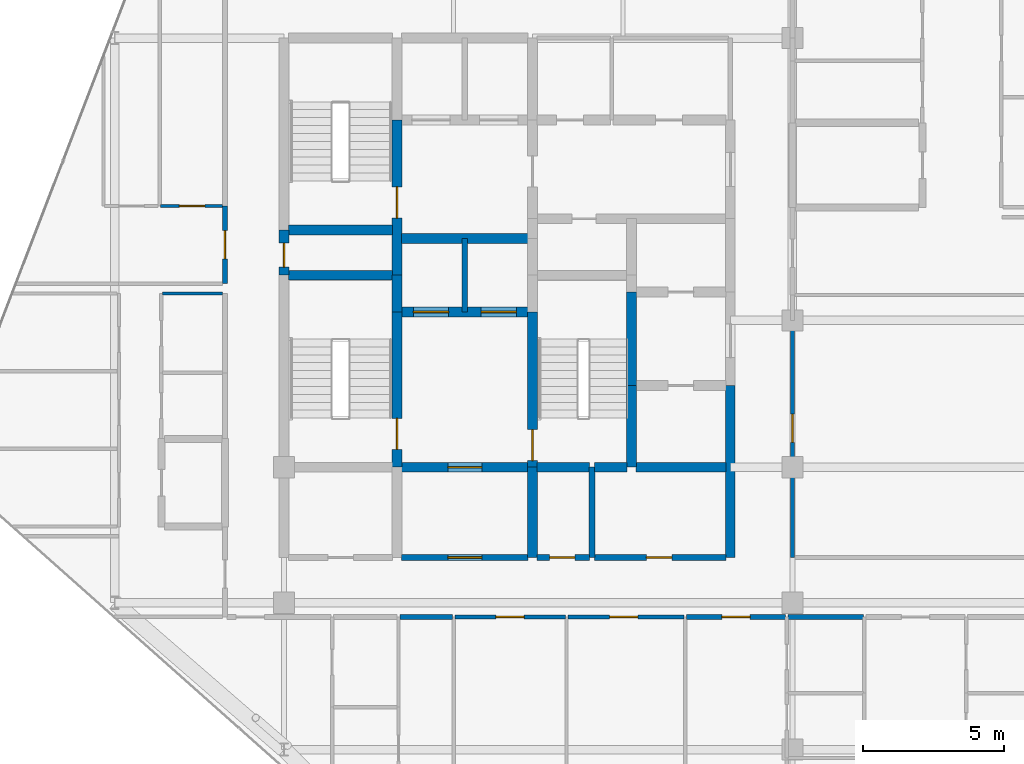
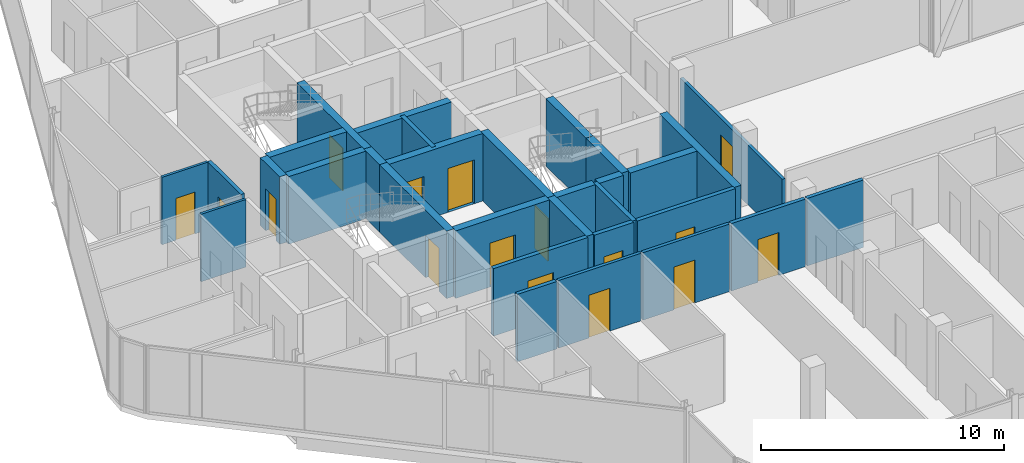
# One storey, part 24 of 29: 31 walls, 16 doors, 16 openings.
"""IFC4 building model written with IfcOpenShell, lengths in metres."""

import ifcopenshell
import ifcopenshell.guid

model = None  # the IFC model being written
_history = None  # IfcOwnerHistory: only IFC2X3 demands one
_inside = {}  # id of a spatial element -> (the spatial element, [elements in it])
_under = {}  # id of a project, library or spatial element -> (it, [spatial elements below it])
_declared = {}  # id of a project -> (the project, [libraries it declares])
_typed = {}  # id of a type object -> (the type object, [elements of that type])
_made_of = {}  # id of a material, layer set ... -> (it, [elements and type objects made of it])


def new_model(schema):
    """Start an empty IFC model of exactly this schema.

    Asked for "IFC4X3", IfcOpenShell would pick the latest addendum, in which some entities
    have other attributes; the version numbers below select the first issue.
    IFC2X3 requires an IfcOwnerHistory on every rooted entity: one is made here for all.
    """
    global model, _history
    if schema == "IFC4X3":
        model = ifcopenshell.file(schema_version=(4, 3, 0, 0))
    else:
        model = ifcopenshell.file(schema=schema)
    _inside.clear()
    _under.clear()
    _declared.clear()
    _typed.clear()
    _made_of.clear()
    _history = None
    if model.schema == "IFC2X3":
        org = make("IfcOrganization", Name="unknown")
        user = make(
            "IfcPersonAndOrganization",
            ThePerson=make("IfcPerson", FamilyName="unknown"),
            TheOrganization=org,
        )
        app = make(
            "IfcApplication",
            ApplicationDeveloper=org,
            Version="unknown",
            ApplicationFullName="unknown",
            ApplicationIdentifier="unknown",
        )
        _history = make(
            "IfcOwnerHistory",
            OwningUser=user,
            OwningApplication=app,
            ChangeAction="ADDED",
            CreationDate=0,
        )
    return model


def make(cls, **values):
    """One entity of the class cls with the attributes given. An attribute that is None is left unset."""
    return model.create_entity(
        cls, **{name: value for name, value in values.items() if value is not None}
    )


def rooted(cls, **values):
    """An entity with a GlobalId (a new one), such as an element, a storey or a relation."""
    return make(cls, GlobalId=ifcopenshell.guid.new(), OwnerHistory=_history, **values)


def si_unit(unit_type, name, prefix=None):
    """IfcSIUnit, for example si_unit("LENGTHUNIT", "METRE", prefix="MILLI")."""
    return make("IfcSIUnit", UnitType=unit_type, Prefix=prefix, Name=name)


def assignment(units):
    """IfcUnitAssignment: the units of a project."""
    return None if units is None else make("IfcUnitAssignment", Units=units)


def point(xyz):
    """IfcCartesianPoint."""
    return None if xyz is None else make("IfcCartesianPoint", Coordinates=xyz)


def direction(xyz):
    """IfcDirection."""
    return None if xyz is None else make("IfcDirection", DirectionRatios=xyz)


def frame(location, z_axis=None, x_axis=None):
    """IfcAxis2Placement3D, a coordinate frame: its origin and axes. An axis left out is left unset."""
    return make(
        "IfcAxis2Placement3D",
        Location=point(location),
        Axis=direction(z_axis),
        RefDirection=direction(x_axis),
    )


def frame_2d(location, x_axis=None):
    """IfcAxis2Placement2D, a coordinate frame in the plane: its origin and x axis."""
    return make(
        "IfcAxis2Placement2D", Location=point(location), RefDirection=direction(x_axis)
    )


def origin():
    """The frame at (0, 0, 0) with its axes left unset."""
    return frame((0.0, 0.0, 0.0))


def place(relative_to, where):
    """IfcLocalPlacement: puts the frame where relative to a parent placement (None: the world)."""
    return make(
        "IfcLocalPlacement", PlacementRelTo=relative_to, RelativePlacement=where
    )


def context(
    kind, dimensions, precision=None, world=None, true_north=None, identifier=None
):
    """IfcGeometricRepresentationContext, for example the 3D "Model" context."""
    return make(
        "IfcGeometricRepresentationContext",
        ContextIdentifier=identifier,
        ContextType=kind,
        CoordinateSpaceDimension=dimensions,
        Precision=precision,
        WorldCoordinateSystem=world,
        TrueNorth=true_north,
    )


def subcontext(parent, identifier, kind, view, scale=None):
    """IfcGeometricRepresentationSubContext, for example "Body" below "Model"."""
    return make(
        "IfcGeometricRepresentationSubContext",
        ContextIdentifier=identifier,
        ContextType=kind,
        ParentContext=parent,
        TargetScale=scale,
        TargetView=view,
    )


def project(units=None, contexts=None):
    """IfcProject with its units and contexts."""
    return rooted(
        "IfcProject",
        Name="project",
        RepresentationContexts=contexts,
        UnitsInContext=assignment(units),
    )


def spatial(cls, under=None, at=None, **own):
    """A site, building, storey or space (cls), placed at a placement, below another one or the project."""
    s = rooted(cls, ObjectPlacement=at, **own)
    if under is not None:
        _under.setdefault(under.id(), (under, []))[1].append(s)
    return s


def profile(cls, at=None, kind="AREA", **sizes):
    """A parametric profile (cls). Its sizes go by their IFC names, for example OverallWidth=200.0."""
    return make(cls, ProfileType=kind, Position=at, **sizes)


def rectangle(**sizes):
    """IfcRectangleProfileDef."""
    return profile("IfcRectangleProfileDef", **sizes)


def extrude(swept, where, along, depth):
    """IfcExtrudedAreaSolid: the profile swept, set in the frame where, extruded along a direction by depth."""
    return make(
        "IfcExtrudedAreaSolid",
        SweptArea=swept,
        Position=where,
        ExtrudedDirection=direction(along),
        Depth=depth,
    )


def shape(context_of_items, identifier, shape_type, items):
    """IfcShapeRepresentation: the items that make up one representation, for example the "Body"."""
    return make(
        "IfcShapeRepresentation",
        ContextOfItems=context_of_items,
        RepresentationIdentifier=identifier,
        RepresentationType=shape_type,
        Items=items,
    )


def material(Name=None, Category=None):
    """IfcMaterial."""
    return make("IfcMaterial", Name=Name, Category=Category)


def layer(
    of_material, thickness, ventilated=None, Name=None, Category=None, Priority=None
):
    """IfcMaterialLayer: one layer of a wall or slab, of a material (None: an air gap)."""
    return make(
        "IfcMaterialLayer",
        Material=of_material,
        LayerThickness=thickness,
        IsVentilated=ventilated,
        Name=Name,
        Category=Category,
        Priority=Priority,
    )


def layer_set(layers, Name=None):
    """IfcMaterialLayerSet."""
    return make("IfcMaterialLayerSet", MaterialLayers=layers, LayerSetName=Name)


def made_of(thing, what):
    """Note that an element or type object is made of a material, layer set ...; save() writes the relation."""
    if what is not None:
        _made_of.setdefault(what.id(), (what, []))[1].append(thing)
    return thing


def type_object(cls, material=None, **own):
    """A type object (cls), such as IfcWallType, which elements share."""
    return made_of(rooted(cls, **own), material)


def element(
    cls,
    number,
    at=None,
    inside=None,
    cuts=None,
    type_object=None,
    material=None,
    context=None,
    identifier="Body",
    shape_type=None,
    held_by="IfcProductDefinitionShape",
    body=None,
    shapes=None,
    **own,
):
    """One element of the class cls, such as IfcWall. Its Tag is "e" and its number.

    at: its placement. inside: the storey or other place that contains it. cuts: it is an
    opening in that element (IfcRelVoidsElement). A single representation is given by context,
    identifier, shape_type and body (its items); several are given by shapes. held_by: the class
    of the entity that holds the representations. save() writes the other relations.
    """
    e = rooted(cls, Tag="e%d" % number, ObjectPlacement=at, **own)
    if body is not None:
        shapes = [shape(context, identifier, shape_type, body)]
    if shapes is not None:
        e.Representation = make(held_by, Representations=shapes)
    if inside is not None:
        _inside.setdefault(inside.id(), (inside, []))[1].append(e)
    if cuts is not None:
        rooted(
            "IfcRelVoidsElement", RelatingBuildingElement=cuts, RelatedOpeningElement=e
        )
    if type_object is not None:
        _typed.setdefault(type_object.id(), (type_object, []))[1].append(e)
    return made_of(e, material)


def fill(opening, filler):
    """IfcRelFillsElement: the door or window that sits in an opening."""
    return rooted(
        "IfcRelFillsElement",
        RelatingOpeningElement=opening,
        RelatedBuildingElement=filler,
    )


def aggregate(whole, parts):
    """IfcRelAggregates: a whole, such as a stair, and the parts it consists of."""
    return rooted("IfcRelAggregates", RelatingObject=whole, RelatedObjects=parts)


def save(model, path):
    """Write the relations noted so far, then the file.

    IfcRelAggregates (storeys below a building ...), IfcRelContainedInSpatialStructure (elements
    in a storey), IfcRelDefinesByType, IfcRelAssociatesMaterial and IfcRelDeclares: one each for
    every whole, place, type object, material and project.
    """
    for whole, parts in _under.values():
        aggregate(whole, parts)
    for where, things in _inside.values():
        rooted(
            "IfcRelContainedInSpatialStructure",
            RelatedElements=things,
            RelatingStructure=where,
        )
    for kind, things in _typed.values():
        rooted("IfcRelDefinesByType", RelatedObjects=things, RelatingType=kind)
    for what, things in _made_of.values():
        rooted("IfcRelAssociatesMaterial", RelatedObjects=things, RelatingMaterial=what)
    for by, libraries in _declared.values():
        rooted("IfcRelDeclares", RelatingContext=by, RelatedDefinitions=libraries)
    model.write(path)


model = new_model("IFC4")

# Units and contexts
model_context = context("Model", 3, precision=1e-05, world=origin(), true_north=direction((0.0, 1.0)))
body_context = subcontext(model_context, "Body", "Model", "MODEL_VIEW")
ifc_project = project(units=[si_unit("LENGTHUNIT", "METRE"), si_unit("AREAUNIT", "SQUARE_METRE"), si_unit("VOLUMEUNIT", "CUBIC_METRE"), si_unit("PLANEANGLEUNIT", "RADIAN"), si_unit("MASSUNIT", "GRAM", prefix="KILO")], contexts=[model_context])

# Site, building, storey
site_placement = place(None, origin())
site = spatial("IfcSite", under=ifc_project, at=site_placement, CompositionType="ELEMENT")
building_placement = place(site_placement, origin())
building = spatial("IfcBuilding", under=site, at=building_placement, Name="Keshet Zoharim Tower", CompositionType="ELEMENT")
storey_placement = place(building_placement, frame((0.0, 0.0, 222.800048828125)))
storey = spatial("IfcBuildingStorey", under=building, at=storey_placement, Name="L55", CompositionType="ELEMENT", Elevation=222.800048828125)

# Wall, opening, door
ifc_material_1 = material(Name="Gypsum Plasterboard", Category="gypsum")
ifc_layer_1 = layer(ifc_material_1, 0.14990234375)
ifc_layer_set_1 = layer_set([ifc_layer_1], Name="Gypsum Plasterboard")
wall_type_1 = type_object("IfcWallType", Name="WL-CLIN-150", PredefinedType="STANDARD", material=ifc_layer_set_1)
wall_1_placement = place(storey_placement, frame((33.0, 19.510009765625, 0.0), z_axis=(0.0, 0.0, 1.0), x_axis=(0.0, 1.0, 0.0)))
wall_1 = element("IfcWall", 1, at=wall_1_placement, inside=storey, type_object=wall_type_1, Name="L55 Interior Wall 069", PredefinedType="STANDARD", context=body_context, shape_type="SweptSolid", body=[
    extrude(rectangle(XDim=8.389892578125, YDim=0.14990234375, at=frame_2d((4.19482421875, 0.0))), origin(), (0.0, 0.0, 1.0), 2.989990234375),
])
opening_1_placement = place(wall_1_placement, frame((4.069091796875, 0.0, 0.0)))
opening_1 = element("IfcOpeningElement", 2, at=opening_1_placement, cuts=wall_1, Name="Opening D-F310", PredefinedType="OPENING", context=body_context, shape_type="SweptSolid", body=[
    extrude(rectangle(XDim=1.0, YDim=2.14990234375, at=frame_2d((0.5, 1.074951171875))), frame((0.0, 0.0849609375, 0.0), z_axis=(0.0, -1.0, 0.0), x_axis=(1.0, 0.0, 0.0)), (0.0, 0.0, 1.0), 0.169921875),
])
ifc_material_2 = material(Name="Hardwood Timber", Category="wood")
door_type_1 = type_object("IfcDoorType", Name="DR-FD30-100", OperationType="NOTDEFINED", PredefinedType="DOOR", material=ifc_material_2)
door_1_placement = place(opening_1_placement, origin())
door_1 = element("IfcDoor", 3, at=door_1_placement, inside=storey, type_object=door_type_1, Name="L55 South East Residents Services Suite Door 2", OperationType="SINGLE_SWING_LEFT", OverallHeight=2.14990234375, OverallWidth=1.0, PredefinedType="DOOR", context=body_context, shape_type="SweptSolid", body=[
    extrude(rectangle(XDim=1.0, YDim=2.14990234375, at=frame_2d((0.5, 1.074951171875))), frame((0.0, 0.02490234375, 0.0), z_axis=(0.0, -1.0, 0.0), x_axis=(1.0, 0.0, 0.0)), (0.0, 0.0, 1.0), 0.050048828125),
])
fill(opening_1, door_1)

wall_2_placement = place(storey_placement, frame((21.044921875, 17.39990234375, 0.0), z_axis=(0.0, 0.0, 1.0), x_axis=(1.0, 0.0, 0.0)))
wall_2 = element("IfcWall", 4, at=wall_2_placement, inside=storey, type_object=wall_type_1, Name="L55 Interior Wall 124", PredefinedType="STANDARD", context=body_context, shape_type="SweptSolid", body=[
    extrude(rectangle(XDim=3.91015625, YDim=0.14990234375, at=frame_2d((1.955078125, 0.0))), origin(), (0.0, 0.0, 1.0), 3.389892578125),
])
opening_2_placement = place(wall_2_placement, frame((1.455078125, 0.0, 0.0)))
opening_2 = element("IfcOpeningElement", 5, at=opening_2_placement, cuts=wall_2, Name="Opening D-F310", PredefinedType="OPENING", context=body_context, shape_type="SweptSolid", body=[
    extrude(rectangle(XDim=1.0, YDim=2.14990234375, at=frame_2d((0.5, 1.074951171875))), frame((0.0, 0.0849609375, 0.0), z_axis=(0.0, -1.0, 0.0), x_axis=(1.0, 0.0, 0.0)), (0.0, 0.0, 1.0), 0.169921875),
])
door_2_placement = place(opening_2_placement, origin())
door_2 = element("IfcDoor", 6, at=door_2_placement, inside=storey, type_object=door_type_1, Name="L55 Shared Floor Laundry Room Door", OperationType="SINGLE_SWING_LEFT", OverallHeight=2.14990234375, OverallWidth=1.0, PredefinedType="DOOR", context=body_context, shape_type="SweptSolid", body=[
    extrude(rectangle(XDim=1.0, YDim=2.14990234375, at=frame_2d((0.5, 1.074951171875))), frame((0.0, 0.02490234375, 0.0), z_axis=(0.0, -1.0, 0.0), x_axis=(1.0, 0.0, 0.0)), (0.0, 0.0, 1.0), 0.050048828125),
])
fill(opening_2, door_2)

wall_3_placement = place(storey_placement, frame((25.044921875, 17.39990234375, 0.0), z_axis=(0.0, 0.0, 1.0), x_axis=(1.0, 0.0, 0.0)))
wall_3 = element("IfcWall", 7, at=wall_3_placement, inside=storey, type_object=wall_type_1, Name="L55 Interior Wall 125", PredefinedType="STANDARD", context=body_context, shape_type="SweptSolid", body=[
    extrude(rectangle(XDim=4.110107421875, YDim=0.14990234375, at=frame_2d((2.05517578125, 0.0))), origin(), (0.0, 0.0, 1.0), 3.389892578125),
])
opening_3_placement = place(wall_3_placement, frame((1.48291015625, 0.0, 0.0)))
opening_3 = element("IfcOpeningElement", 8, at=opening_3_placement, cuts=wall_3, Name="Opening D-F310", PredefinedType="OPENING", context=body_context, shape_type="SweptSolid", body=[
    extrude(rectangle(XDim=1.0, YDim=2.14990234375, at=frame_2d((0.5, 1.074951171875))), frame((0.0, 0.0849609375, 0.0), z_axis=(0.0, -1.0, 0.0), x_axis=(1.0, 0.0, 0.0)), (0.0, 0.0, 1.0), 0.169921875),
])
door_3_placement = place(opening_3_placement, origin())
door_3 = element("IfcDoor", 9, at=door_3_placement, inside=storey, type_object=door_type_1, Name="L55 Residents Study Lounge Door", OperationType="SINGLE_SWING_RIGHT", OverallHeight=2.14990234375, OverallWidth=1.0, PredefinedType="DOOR", context=body_context, shape_type="SweptSolid", body=[
    extrude(rectangle(XDim=1.0, YDim=2.14990234375, at=frame_2d((0.5, 1.074951171875))), frame((0.0, 0.02490234375, 0.0), z_axis=(0.0, -1.0, 0.0), x_axis=(1.0, 0.0, 0.0)), (0.0, 0.0, 1.0), 0.050048828125),
])
fill(opening_3, door_3)

ifc_material_3 = material(Name="Concrete C60/75", Category="concrete")
ifc_layer_2 = layer(ifc_material_3, 0.35009765625)
ifc_layer_set_2 = layer_set([ifc_layer_2], Name="Concrete C60/75")
wall_type_2 = type_object("IfcWallType", Name="WL-CORE-350", PredefinedType="SHEAR", material=ifc_layer_set_2)
wall_4_placement = place(storey_placement, frame((15.0, 29.5, 0.0), z_axis=(0.0, 0.0, 1.0), x_axis=(0.0, 1.0, 0.0)))
wall_4 = element("IfcWall", 10, at=wall_4_placement, inside=storey, type_object=wall_type_2, Name="L55 Core Shear Wall 017", PredefinedType="SHEAR", context=body_context, shape_type="SweptSolid", body=[
    extrude(rectangle(XDim=1.60009765625, YDim=0.35009765625, at=frame_2d((0.800048828125, 0.0))), origin(), (0.0, 0.0, 1.0), 3.389892578125),
])
opening_4_placement = place(wall_4_placement, frame((0.287109375, 0.0, 0.0)))
opening_4 = element("IfcOpeningElement", 11, at=opening_4_placement, cuts=wall_4, Name="Opening D-RS85", PredefinedType="OPENING", context=body_context, shape_type="SweptSolid", body=[
    extrude(rectangle(XDim=0.85009765625, YDim=2.10009765625, at=frame_2d((0.425048828125, 1.050048828125))), frame((0.0, 0.18505859375, 0.0), z_axis=(0.0, -1.0, 0.0), x_axis=(1.0, 0.0, 0.0)), (0.0, 0.0, 1.0), 0.3701171875),
])
door_type_2 = type_object("IfcDoorType", Name="DR-RIS-085", OperationType="NOTDEFINED", PredefinedType="DOOR", material=ifc_material_2)
door_4_placement = place(opening_4_placement, origin())
door_4 = element("IfcDoor", 12, at=door_4_placement, inside=storey, type_object=door_type_2, Name="L55 Electrical Riser Access Cupboard Door", OperationType="SINGLE_SWING_RIGHT", OverallHeight=2.10009765625, OverallWidth=0.85009765625, PredefinedType="DOOR", context=body_context, shape_type="SweptSolid", body=[
    extrude(rectangle(XDim=0.85009765625, YDim=2.10009765625, at=frame_2d((0.425048828125, 1.050048828125))), frame((0.0, 0.02490234375, 0.0), z_axis=(0.0, -1.0, 0.0), x_axis=(1.0, 0.0, 0.0)), (0.0, 0.0, 1.0), 0.050048828125),
])
fill(opening_4, door_4)

wall_5_placement = place(storey_placement, frame((19.0, 22.699951171875, 0.0), z_axis=(0.0, 0.0, 1.0), x_axis=(0.0, 1.0, 0.0)))
wall_5 = element("IfcWall", 13, at=wall_5_placement, inside=storey, type_object=wall_type_2, Name="L55 Core Shear Wall 025", PredefinedType="SHEAR", context=body_context, shape_type="SweptSolid", body=[
    extrude(rectangle(XDim=5.5, YDim=0.35009765625, at=frame_2d((2.75, 0.0))), origin(), (0.0, 0.0, 1.0), 3.389892578125),
])
opening_5_placement = place(wall_5_placement, frame((0.631103515625, 0.0, 0.0)))
opening_5 = element("IfcOpeningElement", 14, at=opening_5_placement, cuts=wall_5, Name="Opening D-F611", PredefinedType="OPENING", context=body_context, shape_type="SweptSolid", body=[
    extrude(rectangle(XDim=1.10009765625, YDim=2.14990234375, at=frame_2d((0.550048828125, 1.074951171875))), frame((0.0, 0.18505859375, 0.0), z_axis=(0.0, -1.0, 0.0), x_axis=(1.0, 0.0, 0.0)), (0.0, 0.0, 1.0), 0.3701171875),
])
door_type_3 = type_object("IfcDoorType", Name="DR-FD60-110", OperationType="NOTDEFINED", PredefinedType="DOOR", material=ifc_material_2)
door_5_placement = place(opening_5_placement, origin())
door_5 = element("IfcDoor", 15, at=door_5_placement, inside=storey, type_object=door_type_3, Name="L55 Exit Stair ST-01 Fire Door", OperationType="SINGLE_SWING_RIGHT", OverallHeight=2.14990234375, OverallWidth=1.10009765625, PredefinedType="DOOR", context=body_context, shape_type="SweptSolid", body=[
    extrude(rectangle(XDim=1.10009765625, YDim=2.14990234375, at=frame_2d((0.550048828125, 1.074951171875))), frame((0.0, 0.02490234375, 0.0), z_axis=(0.0, -1.0, 0.0), x_axis=(1.0, 0.0, 0.0)), (0.0, 0.0, 1.0), 0.050048828125),
])
fill(opening_5, door_5)

# Wall
wall_6_placement = place(storey_placement, frame((19.0, 28.199951171875, 0.0), z_axis=(0.0, 0.0, 1.0), x_axis=(0.0, 1.0, 0.0)))
element("IfcWall", 16, at=wall_6_placement, inside=storey, type_object=wall_type_2, Name="L55 Core Shear Wall 026", PredefinedType="SHEAR", context=body_context, shape_type="SweptSolid", body=[
    extrude(rectangle(XDim=1.300048828125, YDim=0.35009765625, at=frame_2d((0.64990234375, 0.0))), origin(), (0.0, 0.0, 1.0), 3.389892578125),
])

# Wall, opening, door
wall_7_placement = place(storey_placement, frame((19.0, 29.5, 0.0), z_axis=(0.0, 0.0, 1.0), x_axis=(0.0, 1.0, 0.0)))
wall_7 = element("IfcWall", 17, at=wall_7_placement, inside=storey, type_object=wall_type_2, Name="L55 Core Shear Wall 027", PredefinedType="SHEAR", context=body_context, shape_type="SweptSolid", body=[
    extrude(rectangle(XDim=5.5, YDim=0.35009765625, at=frame_2d((2.75, 0.0))), origin(), (0.0, 0.0, 1.0), 3.389892578125),
])
opening_6_placement = place(wall_7_placement, frame((2.02490234375, 0.0, 0.0)))
opening_6 = element("IfcOpeningElement", 18, at=opening_6_placement, cuts=wall_7, Name="Opening D-F611", PredefinedType="OPENING", context=body_context, shape_type="SweptSolid", body=[
    extrude(rectangle(XDim=1.10009765625, YDim=2.14990234375, at=frame_2d((0.550048828125, 1.074951171875))), frame((0.0, 0.18505859375, 0.0), z_axis=(0.0, -1.0, 0.0), x_axis=(1.0, 0.0, 0.0)), (0.0, 0.0, 1.0), 0.3701171875),
])
door_6_placement = place(opening_6_placement, origin())
door_6 = element("IfcDoor", 19, at=door_6_placement, inside=storey, type_object=door_type_3, Name="L55 Exit Stair ST-02 Fire Door", OperationType="SINGLE_SWING_LEFT", OverallHeight=2.14990234375, OverallWidth=1.10009765625, PredefinedType="DOOR", context=body_context, shape_type="SweptSolid", body=[
    extrude(rectangle(XDim=1.10009765625, YDim=2.14990234375, at=frame_2d((0.550048828125, 1.074951171875))), frame((0.0, 0.02490234375, 0.0), z_axis=(0.0, -1.0, 0.0), x_axis=(1.0, 0.0, 0.0)), (0.0, 0.0, 1.0), 0.050048828125),
])
fill(opening_6, door_6)

# Wall
wall_8_placement = place(storey_placement, frame((23.800048828125, 19.5, 0.0), z_axis=(0.0, 0.0, 1.0), x_axis=(0.0, 1.0, 0.0)))
element("IfcWall", 20, at=wall_8_placement, inside=storey, type_object=wall_type_2, Name="L55 Core Shear Wall 038", PredefinedType="SHEAR", context=body_context, shape_type="SweptSolid", body=[
    extrude(rectangle(XDim=3.199951171875, YDim=0.35009765625, at=frame_2d((1.60009765625, 0.0))), origin(), (0.0, 0.0, 1.0), 3.389892578125),
])

# Wall, opening, door
wall_9_placement = place(storey_placement, frame((23.800048828125, 22.699951171875, 0.0), z_axis=(0.0, 0.0, 1.0), x_axis=(0.0, 1.0, 0.0)))
wall_9 = element("IfcWall", 21, at=wall_9_placement, inside=storey, type_object=wall_type_2, Name="L55 Core Shear Wall 039", PredefinedType="SHEAR", context=body_context, shape_type="SweptSolid", body=[
    extrude(rectangle(XDim=5.5, YDim=0.35009765625, at=frame_2d((2.75, 0.0))), origin(), (0.0, 0.0, 1.0), 3.389892578125),
])
opening_7_placement = place(wall_9_placement, frame((0.235107421875, 0.0, 0.0)))
opening_7 = element("IfcOpeningElement", 22, at=opening_7_placement, cuts=wall_9, Name="Opening D-F611", PredefinedType="OPENING", context=body_context, shape_type="SweptSolid", body=[
    extrude(rectangle(XDim=1.10009765625, YDim=2.14990234375, at=frame_2d((0.550048828125, 1.074951171875))), frame((0.0, 0.18505859375, 0.0), z_axis=(0.0, -1.0, 0.0), x_axis=(1.0, 0.0, 0.0)), (0.0, 0.0, 1.0), 0.3701171875),
])
door_7_placement = place(opening_7_placement, frame((1.10009765625, 0.0, 0.0), z_axis=(0.0, 0.0, 1.0), x_axis=(-1.0, 0.0, 0.0)))
door_7 = element("IfcDoor", 23, at=door_7_placement, inside=storey, type_object=door_type_3, Name="L55 Exit Stair ST-03 Fire Door", OperationType="SINGLE_SWING_LEFT", OverallHeight=2.14990234375, OverallWidth=1.10009765625, PredefinedType="DOOR", context=body_context, shape_type="SweptSolid", body=[
    extrude(rectangle(XDim=1.10009765625, YDim=2.14990234375, at=frame_2d((0.550048828125, 1.074951171875))), frame((0.0, 0.02490234375, 0.0), z_axis=(0.0, -1.0, 0.0), x_axis=(1.0, 0.0, 0.0)), (0.0, 0.0, 1.0), 0.050048828125),
])
fill(opening_7, door_7)

# Walls
wall_10_placement = place(storey_placement, frame((27.300048828125, 22.699951171875, 0.0), z_axis=(0.0, 0.0, 1.0), x_axis=(0.0, 1.0, 0.0)))
element("IfcWall", 24, at=wall_10_placement, inside=storey, type_object=wall_type_2, Name="L55 Core Shear Wall 050", PredefinedType="SHEAR", context=body_context, shape_type="SweptSolid", body=[
    extrude(rectangle(XDim=2.900146484375, YDim=0.35009765625, at=frame_2d((1.4501953125, 0.0))), origin(), (0.0, 0.0, 1.0), 3.389892578125),
])
wall_11_placement = place(storey_placement, frame((27.300048828125, 25.60009765625, 0.0), z_axis=(0.0, 0.0, 1.0), x_axis=(0.0, 1.0, 0.0)))
element("IfcWall", 25, at=wall_11_placement, inside=storey, type_object=wall_type_2, Name="L55 Core Shear Wall 051", PredefinedType="SHEAR", context=body_context, shape_type="SweptSolid", body=[
    extrude(rectangle(XDim=3.2998046875, YDim=0.35009765625, at=frame_2d((1.64990234375, 0.0))), origin(), (0.0, 0.0, 1.0), 3.389892578125),
])
wall_12_placement = place(storey_placement, frame((30.800048828125, 19.5, 0.0), z_axis=(0.0, 0.0, 1.0), x_axis=(0.0, 1.0, 0.0)))
element("IfcWall", 26, at=wall_12_placement, inside=storey, type_object=wall_type_2, Name="L55 Core Shear Wall 060", PredefinedType="SHEAR", context=body_context, shape_type="SweptSolid", body=[
    extrude(rectangle(XDim=6.10009765625, YDim=0.35009765625, at=frame_2d((3.050048828125, 0.0))), origin(), (0.0, 0.0, 1.0), 3.389892578125),
])

# Wall, opening, door
wall_13_placement = place(storey_placement, frame((19.159912109375, 22.699951171875, 0.0), z_axis=(0.0, 0.0, 1.0), x_axis=(1.0, 0.0, 0.0)))
wall_13 = element("IfcWall", 27, at=wall_13_placement, inside=storey, type_object=wall_type_2, Name="L55 Core Shear Wall 143", PredefinedType="SHEAR", context=body_context, shape_type="SweptSolid", body=[
    extrude(rectangle(XDim=4.47998046875, YDim=0.35009765625, at=frame_2d((2.239990234375, 0.0))), origin(), (0.0, 0.0, 1.0), 3.389892578125),
])
opening_8_placement = place(wall_13_placement, frame((1.639892578125, 0.0, 0.0)))
opening_8 = element("IfcOpeningElement", 28, at=opening_8_placement, cuts=wall_13, Name="Opening D-F612", PredefinedType="OPENING", context=body_context, shape_type="SweptSolid", body=[
    extrude(rectangle(XDim=1.199951171875, YDim=2.199951171875, at=frame_2d((0.60009765625, 1.10009765625))), frame((0.0, 0.18505859375, 0.0), z_axis=(0.0, -1.0, 0.0), x_axis=(1.0, 0.0, 0.0)), (0.0, 0.0, 1.0), 0.3701171875),
])
door_type_4 = type_object("IfcDoorType", Name="DR-FD60-120", OperationType="NOTDEFINED", PredefinedType="DOOR", material=ifc_material_2)
door_8_placement = place(opening_8_placement, origin())
door_8 = element("IfcDoor", 29, at=door_8_placement, inside=storey, type_object=door_type_4, Name="L55 South Core Lobby Fire Door", OperationType="SINGLE_SWING_RIGHT", OverallHeight=2.199951171875, OverallWidth=1.199951171875, PredefinedType="DOOR", context=body_context, shape_type="SweptSolid", body=[
    extrude(rectangle(XDim=1.199951171875, YDim=2.199951171875, at=frame_2d((0.60009765625, 1.10009765625))), frame((0.0, 0.02490234375, 0.0), z_axis=(0.0, -1.0, 0.0), x_axis=(1.0, 0.0, 0.0)), (0.0, 0.0, 1.0), 0.050048828125),
])
fill(opening_8, door_8)

# Walls
wall_14_placement = place(storey_placement, frame((23.9599609375, 22.699951171875, 0.0), z_axis=(0.0, 0.0, 1.0), x_axis=(1.0, 0.0, 0.0)))
element("IfcWall", 30, at=wall_14_placement, inside=storey, type_object=wall_type_2, Name="L55 Core Shear Wall 144", PredefinedType="SHEAR", context=body_context, shape_type="SweptSolid", body=[
    extrude(rectangle(XDim=1.85498046875, YDim=0.35009765625, at=frame_2d((0.927490234375, 0.0))), origin(), (0.0, 0.0, 1.0), 3.389892578125),
])
wall_15_placement = place(storey_placement, frame((25.985107421875, 22.699951171875, 0.0), z_axis=(0.0, 0.0, 1.0), x_axis=(1.0, 0.0, 0.0)))
element("IfcWall", 31, at=wall_15_placement, inside=storey, type_object=wall_type_2, Name="L55 Core Shear Wall 145", PredefinedType="SHEAR", context=body_context, shape_type="SweptSolid", body=[
    extrude(rectangle(XDim=1.15478515625, YDim=0.35009765625, at=frame_2d((0.577392578125, 0.0))), origin(), (0.0, 0.0, 1.0), 3.389892578125),
])
wall_16_placement = place(storey_placement, frame((27.4599609375, 22.699951171875, 0.0), z_axis=(0.0, 0.0, 1.0), x_axis=(1.0, 0.0, 0.0)))
element("IfcWall", 32, at=wall_16_placement, inside=storey, type_object=wall_type_2, Name="L55 Core Shear Wall 146", PredefinedType="SHEAR", context=body_context, shape_type="SweptSolid", body=[
    extrude(rectangle(XDim=3.179931640625, YDim=0.35009765625, at=frame_2d((1.58984375, 0.0))), origin(), (0.0, 0.0, 1.0), 3.389892578125),
])

# Wall, openings, doors
wall_17_placement = place(storey_placement, frame((19.159912109375, 28.199951171875, 0.0), z_axis=(0.0, 0.0, 1.0), x_axis=(1.0, 0.0, 0.0)))
wall_17 = element("IfcWall", 33, at=wall_17_placement, inside=storey, type_object=wall_type_2, Name="L55 Core Shear Wall 152", PredefinedType="SHEAR", context=body_context, shape_type="SweptSolid", body=[
    extrude(rectangle(XDim=4.47998046875, YDim=0.35009765625, at=frame_2d((2.239990234375, 0.0))), origin(), (0.0, 0.0, 1.0), 3.389892578125),
])
opening_9_placement = place(wall_17_placement, frame((0.4150390625, 0.0, 0.0)))
opening_9 = element("IfcOpeningElement", 34, at=opening_9_placement, cuts=wall_17, Name="Opening LD-01", PredefinedType="OPENING", context=body_context, shape_type="SweptSolid", body=[
    extrude(rectangle(XDim=1.25, YDim=2.199951171875, at=frame_2d((0.625, 1.10009765625))), frame((0.0, 0.18505859375, 0.0), z_axis=(0.0, -1.0, 0.0), x_axis=(1.0, 0.0, 0.0)), (0.0, 0.0, 1.0), 0.3701171875),
])
opening_10_placement = place(wall_17_placement, frame((2.81494140625, 0.0, 0.0)))
opening_10 = element("IfcOpeningElement", 35, at=opening_10_placement, cuts=wall_17, Name="Opening LD-01", PredefinedType="OPENING", context=body_context, shape_type="SweptSolid", body=[
    extrude(rectangle(XDim=1.25, YDim=2.199951171875, at=frame_2d((0.625, 1.10009765625))), frame((0.0, 0.18505859375, 0.0), z_axis=(0.0, -1.0, 0.0), x_axis=(1.0, 0.0, 0.0)), (0.0, 0.0, 1.0), 0.3701171875),
])
ifc_material_4 = material(Name="Steel S355", Category="steel")
door_type_5 = type_object("IfcDoorType", Name="DR-LD01-125", OperationType="DOUBLE_DOOR_SLIDING", PredefinedType="DOOR", material=ifc_material_4)
door_9_placement = place(opening_9_placement, origin())
door_9 = element("IfcDoor", 36, at=door_9_placement, inside=storey, type_object=door_type_5, Name="L55 Passenger Lift Landing Door LF-09", OperationType="DOUBLE_DOOR_SLIDING", OverallHeight=2.199951171875, OverallWidth=1.25, PredefinedType="DOOR", context=body_context, shape_type="SweptSolid", body=[
    extrude(rectangle(XDim=1.25, YDim=2.199951171875, at=frame_2d((0.625, 1.10009765625))), frame((0.0, 0.02490234375, 0.0), z_axis=(0.0, -1.0, 0.0), x_axis=(1.0, 0.0, 0.0)), (0.0, 0.0, 1.0), 0.050048828125),
])
fill(opening_9, door_9)
door_10_placement = place(opening_10_placement, origin())
door_10 = element("IfcDoor", 37, at=door_10_placement, inside=storey, type_object=door_type_5, Name="L55 Passenger Lift Landing Door LF-10", OperationType="DOUBLE_DOOR_SLIDING", OverallHeight=2.199951171875, OverallWidth=1.25, PredefinedType="DOOR", context=body_context, shape_type="SweptSolid", body=[
    extrude(rectangle(XDim=1.25, YDim=2.199951171875, at=frame_2d((0.625, 1.10009765625))), frame((0.0, 0.02490234375, 0.0), z_axis=(0.0, -1.0, 0.0), x_axis=(1.0, 0.0, 0.0)), (0.0, 0.0, 1.0), 0.050048828125),
])
fill(opening_10, door_10)

# Walls
wall_18_placement = place(storey_placement, frame((15.159912109375, 29.5, 0.0), z_axis=(0.0, 0.0, 1.0), x_axis=(1.0, 0.0, 0.0)))
element("IfcWall", 38, at=wall_18_placement, inside=storey, type_object=wall_type_2, Name="L55 Core Shear Wall 159", PredefinedType="SHEAR", context=body_context, shape_type="SweptSolid", body=[
    extrude(rectangle(XDim=3.68017578125, YDim=0.35009765625, at=frame_2d((1.840087890625, 0.0))), origin(), (0.0, 0.0, 1.0), 3.389892578125),
])
wall_19_placement = place(storey_placement, frame((19.159912109375, 30.800048828125, 0.0), z_axis=(0.0, 0.0, 1.0), x_axis=(1.0, 0.0, 0.0)))
element("IfcWall", 39, at=wall_19_placement, inside=storey, type_object=wall_type_2, Name="L55 Core Shear Wall 161", PredefinedType="SHEAR", context=body_context, shape_type="SweptSolid", body=[
    extrude(rectangle(XDim=4.47998046875, YDim=0.35009765625, at=frame_2d((2.239990234375, 0.0))), origin(), (0.0, 0.0, 1.0), 3.389892578125),
])
wall_20_placement = place(storey_placement, frame((15.159912109375, 31.10009765625, 0.0), z_axis=(0.0, 0.0, 1.0), x_axis=(1.0, 0.0, 0.0)))
element("IfcWall", 40, at=wall_20_placement, inside=storey, type_object=wall_type_2, Name="L55 Core Shear Wall 162", PredefinedType="SHEAR", context=body_context, shape_type="SweptSolid", body=[
    extrude(rectangle(XDim=3.68017578125, YDim=0.35009765625, at=frame_2d((1.840087890625, 0.0))), origin(), (0.0, 0.0, 1.0), 3.389892578125),
])

# Wall, opening, door
ifc_layer_3 = layer(ifc_material_1, 0.179931640625)
ifc_layer_set_3 = layer_set([ifc_layer_3], Name="Gypsum Plasterboard")
wall_type_3 = type_object("IfcWallType", Name="WL-CORR-180", PredefinedType="STANDARD", material=ifc_layer_set_3)
wall_21_placement = place(storey_placement, frame((12.89990234375, 29.199951171875, 0.0), z_axis=(0.0, 0.0, 1.0), x_axis=(0.0, 1.0, 0.0)))
wall_21 = element("IfcWall", 41, at=wall_21_placement, inside=storey, type_object=wall_type_3, Name="L55 Interior Wall 011", PredefinedType="STANDARD", context=body_context, shape_type="SweptSolid", body=[
    extrude(rectangle(XDim=2.75, YDim=0.179931640625, at=frame_2d((1.375, 0.0))), origin(), (0.0, 0.0, 1.0), 3.389892578125),
])
opening_11_placement = place(wall_21_placement, frame((0.875, 0.0, 0.0)))
opening_11 = element("IfcOpeningElement", 42, at=opening_11_placement, cuts=wall_21, Name="Opening D-F310", PredefinedType="OPENING", context=body_context, shape_type="SweptSolid", body=[
    extrude(rectangle(XDim=1.0, YDim=2.14990234375, at=frame_2d((0.5, 1.074951171875))), frame((0.0, 0.10009765625, 0.0), z_axis=(0.0, -1.0, 0.0), x_axis=(1.0, 0.0, 0.0)), (0.0, 0.0, 1.0), 0.199951171875),
])
door_11_placement = place(opening_11_placement, origin())
door_11 = element("IfcDoor", 43, at=door_11_placement, inside=storey, type_object=door_type_1, Name="Apartment 5510 Entrance Door", OperationType="SINGLE_SWING_LEFT", OverallHeight=2.14990234375, OverallWidth=1.0, PredefinedType="DOOR", context=body_context, shape_type="SweptSolid", body=[
    extrude(rectangle(XDim=1.0, YDim=2.14990234375, at=frame_2d((0.5, 1.074951171875))), frame((0.0, 0.02490234375, 0.0), z_axis=(0.0, -1.0, 0.0), x_axis=(1.0, 0.0, 0.0)), (0.0, 0.0, 1.0), 0.050048828125),
])
fill(opening_11, door_11)

# Wall
wall_22_placement = place(storey_placement, frame((19.094970703125, 17.39990234375, 0.0), z_axis=(0.0, 0.0, 1.0), x_axis=(1.0, 0.0, 0.0)))
element("IfcWall", 44, at=wall_22_placement, inside=storey, type_object=wall_type_3, Name="L55 Interior Wall 123", PredefinedType="STANDARD", context=body_context, shape_type="SweptSolid", body=[
    extrude(rectangle(XDim=1.860107421875, YDim=0.179931640625, at=frame_2d((0.93017578125, 0.0))), origin(), (0.0, 0.0, 1.0), 3.389892578125),
])

# Wall, opening, door
wall_23_placement = place(storey_placement, frame((29.2451171875, 17.39990234375, 0.0), z_axis=(0.0, 0.0, 1.0), x_axis=(1.0, 0.0, 0.0)))
wall_23 = element("IfcWall", 45, at=wall_23_placement, inside=storey, type_object=wall_type_3, Name="L55 Interior Wall 126", PredefinedType="STANDARD", context=body_context, shape_type="SweptSolid", body=[
    extrude(rectangle(XDim=3.509765625, YDim=0.179931640625, at=frame_2d((1.7548828125, 0.0))), origin(), (0.0, 0.0, 1.0), 3.389892578125),
])
opening_12_placement = place(wall_23_placement, frame((1.2548828125, 0.0, 0.0)))
opening_12 = element("IfcOpeningElement", 46, at=opening_12_placement, cuts=wall_23, Name="Opening D-F310", PredefinedType="OPENING", context=body_context, shape_type="SweptSolid", body=[
    extrude(rectangle(XDim=1.0, YDim=2.14990234375, at=frame_2d((0.5, 1.074951171875))), frame((0.0, 0.10009765625, 0.0), z_axis=(0.0, -1.0, 0.0), x_axis=(1.0, 0.0, 0.0)), (0.0, 0.0, 1.0), 0.199951171875),
])
door_12_placement = place(opening_12_placement, origin())
door_12 = element("IfcDoor", 47, at=door_12_placement, inside=storey, type_object=door_type_1, Name="Apartment 5502 Entrance Door", OperationType="SINGLE_SWING_LEFT", OverallHeight=2.14990234375, OverallWidth=1.0, PredefinedType="DOOR", context=body_context, shape_type="SweptSolid", body=[
    extrude(rectangle(XDim=1.0, YDim=2.14990234375, at=frame_2d((0.5, 1.074951171875))), frame((0.0, 0.02490234375, 0.0), z_axis=(0.0, -1.0, 0.0), x_axis=(1.0, 0.0, 0.0)), (0.0, 0.0, 1.0), 0.050048828125),
])
fill(opening_12, door_12)

# Walls
wall_24_placement = place(storey_placement, frame((32.844970703125, 17.39990234375, 0.0), z_axis=(0.0, 0.0, 1.0), x_axis=(1.0, 0.0, 0.0)))
element("IfcWall", 48, at=wall_24_placement, inside=storey, type_object=wall_type_3, Name="L55 Interior Wall 127", PredefinedType="STANDARD", context=body_context, shape_type="SweptSolid", body=[
    extrude(rectangle(XDim=2.669921875, YDim=0.179931640625, at=frame_2d((1.3349609375, 0.0))), origin(), (0.0, 0.0, 1.0), 3.389892578125),
])
ifc_material_5 = material(Name="Concrete C50/60", Category="concrete")
ifc_layer_4 = layer(ifc_material_5, 0.199951171875)
ifc_layer_set_4 = layer_set([ifc_layer_4], Name="Concrete C50/60")
wall_type_4 = type_object("IfcWallType", Name="WL-FIRE-200", PredefinedType="STANDARD", material=ifc_layer_set_4)
wall_25_placement = place(storey_placement, frame((21.39990234375, 28.199951171875, 0.0), z_axis=(0.0, 0.0, 1.0), x_axis=(0.0, 1.0, 0.0)))
element("IfcWall", 49, at=wall_25_placement, inside=storey, type_object=wall_type_4, Name="L55 Interior Wall 033", PredefinedType="STANDARD", context=body_context, shape_type="SweptSolid", body=[
    extrude(rectangle(XDim=2.60009765625, YDim=0.199951171875, at=frame_2d((1.300048828125, 0.0))), origin(), (0.0, 0.0, 1.0), 3.389892578125),
])
wall_26_placement = place(storey_placement, frame((25.89990234375, 19.5, 0.0), z_axis=(0.0, 0.0, 1.0), x_axis=(0.0, 1.0, 0.0)))
element("IfcWall", 50, at=wall_26_placement, inside=storey, type_object=wall_type_4, Name="L55 Interior Wall 048", PredefinedType="STANDARD", context=body_context, shape_type="SweptSolid", body=[
    extrude(rectangle(XDim=3.199951171875, YDim=0.199951171875, at=frame_2d((1.60009765625, 0.0))), origin(), (0.0, 0.0, 1.0), 3.389892578125),
])

# Wall, opening, door
wall_27_placement = place(storey_placement, frame((19.159912109375, 19.5, 0.0), z_axis=(0.0, 0.0, 1.0), x_axis=(1.0, 0.0, 0.0)))
wall_27 = element("IfcWall", 51, at=wall_27_placement, inside=storey, type_object=wall_type_4, Name="L55 Interior Wall 135", PredefinedType="STANDARD", context=body_context, shape_type="SweptSolid", body=[
    extrude(rectangle(XDim=4.47998046875, YDim=0.199951171875, at=frame_2d((2.239990234375, 0.0))), origin(), (0.0, 0.0, 1.0), 3.389892578125),
])
opening_13_placement = place(wall_27_placement, frame((1.639892578125, 0.0, 0.0)))
opening_13 = element("IfcOpeningElement", 52, at=opening_13_placement, cuts=wall_27, Name="Opening D-F612", PredefinedType="OPENING", context=body_context, shape_type="SweptSolid", body=[
    extrude(rectangle(XDim=1.199951171875, YDim=2.199951171875, at=frame_2d((0.60009765625, 1.10009765625))), frame((0.0, 0.10986328125, 0.0), z_axis=(0.0, -1.0, 0.0), x_axis=(1.0, 0.0, 0.0)), (0.0, 0.0, 1.0), 0.219970703125),
])
door_13_placement = place(opening_13_placement, origin())
door_13 = element("IfcDoor", 53, at=door_13_placement, inside=storey, type_object=door_type_4, Name="L55 South Vestibule Corridor Door", OperationType="SINGLE_SWING_RIGHT", OverallHeight=2.199951171875, OverallWidth=1.199951171875, PredefinedType="DOOR", context=body_context, shape_type="SweptSolid", body=[
    extrude(rectangle(XDim=1.199951171875, YDim=2.199951171875, at=frame_2d((0.60009765625, 1.10009765625))), frame((0.0, 0.02490234375, 0.0), z_axis=(0.0, -1.0, 0.0), x_axis=(1.0, 0.0, 0.0)), (0.0, 0.0, 1.0), 0.050048828125),
])
fill(opening_13, door_13)

wall_28_placement = place(storey_placement, frame((23.9599609375, 19.5, 0.0), z_axis=(0.0, 0.0, 1.0), x_axis=(1.0, 0.0, 0.0)))
wall_28 = element("IfcWall", 54, at=wall_28_placement, inside=storey, type_object=wall_type_4, Name="L55 Interior Wall 136", PredefinedType="STANDARD", context=body_context, shape_type="SweptSolid", body=[
    extrude(rectangle(XDim=1.85498046875, YDim=0.199951171875, at=frame_2d((0.927490234375, 0.0))), origin(), (0.0, 0.0, 1.0), 3.389892578125),
])
opening_14_placement = place(wall_28_placement, frame((0.43994140625, 0.0, 0.0)))
opening_14 = element("IfcOpeningElement", 55, at=opening_14_placement, cuts=wall_28, Name="Opening D-F690", PredefinedType="OPENING", context=body_context, shape_type="SweptSolid", body=[
    extrude(rectangle(XDim=0.89990234375, YDim=2.14990234375, at=frame_2d((0.449951171875, 1.074951171875))), frame((0.0, 0.10986328125, 0.0), z_axis=(0.0, -1.0, 0.0), x_axis=(1.0, 0.0, 0.0)), (0.0, 0.0, 1.0), 0.219970703125),
])
door_type_6 = type_object("IfcDoorType", Name="DR-FD60-090", OperationType="NOTDEFINED", PredefinedType="DOOR", material=ifc_material_2)
door_14_placement = place(opening_14_placement, origin())
door_14 = element("IfcDoor", 56, at=door_14_placement, inside=storey, type_object=door_type_6, Name="L55 Cleaners Store Door", OperationType="SINGLE_SWING_LEFT", OverallHeight=2.14990234375, OverallWidth=0.89990234375, PredefinedType="DOOR", context=body_context, shape_type="SweptSolid", body=[
    extrude(rectangle(XDim=0.89990234375, YDim=2.14990234375, at=frame_2d((0.449951171875, 1.074951171875))), frame((0.0, 0.02490234375, 0.0), z_axis=(0.0, -1.0, 0.0), x_axis=(1.0, 0.0, 0.0)), (0.0, 0.0, 1.0), 0.050048828125),
])
fill(opening_14, door_14)

wall_29_placement = place(storey_placement, frame((25.985107421875, 19.5, 0.0), z_axis=(0.0, 0.0, 1.0), x_axis=(1.0, 0.0, 0.0)))
wall_29 = element("IfcWall", 57, at=wall_29_placement, inside=storey, type_object=wall_type_4, Name="L55 Interior Wall 137", PredefinedType="STANDARD", context=body_context, shape_type="SweptSolid", body=[
    extrude(rectangle(XDim=4.65478515625, YDim=0.199951171875, at=frame_2d((2.327392578125, 0.0))), origin(), (0.0, 0.0, 1.0), 3.389892578125),
])
opening_15_placement = place(wall_29_placement, frame((1.844970703125, 0.0, 0.0)))
opening_15 = element("IfcOpeningElement", 58, at=opening_15_placement, cuts=wall_29, Name="Opening D-F690", PredefinedType="OPENING", context=body_context, shape_type="SweptSolid", body=[
    extrude(rectangle(XDim=0.89990234375, YDim=2.14990234375, at=frame_2d((0.449951171875, 1.074951171875))), frame((0.0, 0.10986328125, 0.0), z_axis=(0.0, -1.0, 0.0), x_axis=(1.0, 0.0, 0.0)), (0.0, 0.0, 1.0), 0.219970703125),
])
door_15_placement = place(opening_15_placement, origin())
door_15 = element("IfcDoor", 59, at=door_15_placement, inside=storey, type_object=door_type_6, Name="L55 Meter Room Door", OperationType="SINGLE_SWING_RIGHT", OverallHeight=2.14990234375, OverallWidth=0.89990234375, PredefinedType="DOOR", context=body_context, shape_type="SweptSolid", body=[
    extrude(rectangle(XDim=0.89990234375, YDim=2.14990234375, at=frame_2d((0.449951171875, 1.074951171875))), frame((0.0, 0.02490234375, 0.0), z_axis=(0.0, -1.0, 0.0), x_axis=(1.0, 0.0, 0.0)), (0.0, 0.0, 1.0), 0.050048828125),
])
fill(opening_15, door_15)

# Wall
ifc_layer_5 = layer(ifc_material_1, 0.1201171875)
ifc_layer_set_5 = layer_set([ifc_layer_5], Name="Gypsum Plasterboard")
wall_type_5 = type_object("IfcWallType", Name="WL-PART-120", PredefinedType="PARTITIONING", material=ifc_layer_set_5)
wall_30_placement = place(storey_placement, frame((10.695068359375, 28.85009765625, 0.0), z_axis=(0.0, 0.0, 1.0), x_axis=(1.0, 0.0, 0.0)))
element("IfcWall", 60, at=wall_30_placement, inside=storey, type_object=wall_type_5, Name="L55 Interior Wall 155", PredefinedType="PARTITIONING", context=body_context, shape_type="SweptSolid", body=[
    extrude(rectangle(XDim=2.1298828125, YDim=0.1201171875, at=frame_2d((1.06494140625, 0.0))), origin(), (0.0, 0.0, 1.0), 3.389892578125),
])

# Wall, opening, door
ifc_layer_6 = layer(ifc_material_1, 0.1201171875)
ifc_layer_set_6 = layer_set([ifc_layer_6], Name="Gypsum Plasterboard")
wall_type_6 = type_object("IfcWallType", Name="WL-WET-120", PredefinedType="PARTITIONING", material=ifc_layer_set_6)
wall_31_placement = place(storey_placement, frame((10.623046875, 31.949951171875, 0.0), z_axis=(0.0, 0.0, 1.0), x_axis=(1.0, 0.0, 0.0)))
wall_31 = element("IfcWall", 61, at=wall_31_placement, inside=storey, type_object=wall_type_6, Name="L55 Interior Wall 168", PredefinedType="PARTITIONING", context=body_context, shape_type="SweptSolid", body=[
    extrude(rectangle(XDim=2.201904296875, YDim=0.1201171875, at=frame_2d((1.10107421875, 0.0))), origin(), (0.0, 0.0, 1.0), 3.389892578125),
])
opening_16_placement = place(wall_31_placement, frame((0.666015625, 0.0, 0.0)))
opening_16 = element("IfcOpeningElement", 62, at=opening_16_placement, cuts=wall_31, Name="Opening D-WT90", PredefinedType="OPENING", context=body_context, shape_type="SweptSolid", body=[
    extrude(rectangle(XDim=0.89990234375, YDim=2.10009765625, at=frame_2d((0.449951171875, 1.050048828125))), frame((0.0, 0.070068359375, 0.0), z_axis=(0.0, -1.0, 0.0), x_axis=(1.0, 0.0, 0.0)), (0.0, 0.0, 1.0), 0.14013671875),
])
door_type_7 = type_object("IfcDoorType", Name="DR-WET-090", OperationType="NOTDEFINED", PredefinedType="DOOR", material=ifc_material_2)
door_16_placement = place(opening_16_placement, origin())
door_16 = element("IfcDoor", 63, at=door_16_placement, inside=storey, type_object=door_type_7, Name="Apartment 5510 Bathroom Door", OperationType="SINGLE_SWING_LEFT", OverallHeight=2.10009765625, OverallWidth=0.89990234375, PredefinedType="DOOR", context=body_context, shape_type="SweptSolid", body=[
    extrude(rectangle(XDim=0.89990234375, YDim=2.10009765625, at=frame_2d((0.449951171875, 1.050048828125))), frame((0.0, 0.02490234375, 0.0), z_axis=(0.0, -1.0, 0.0), x_axis=(1.0, 0.0, 0.0)), (0.0, 0.0, 1.0), 0.050048828125),
])
fill(opening_16, door_16)

save(model, "model.ifc")
